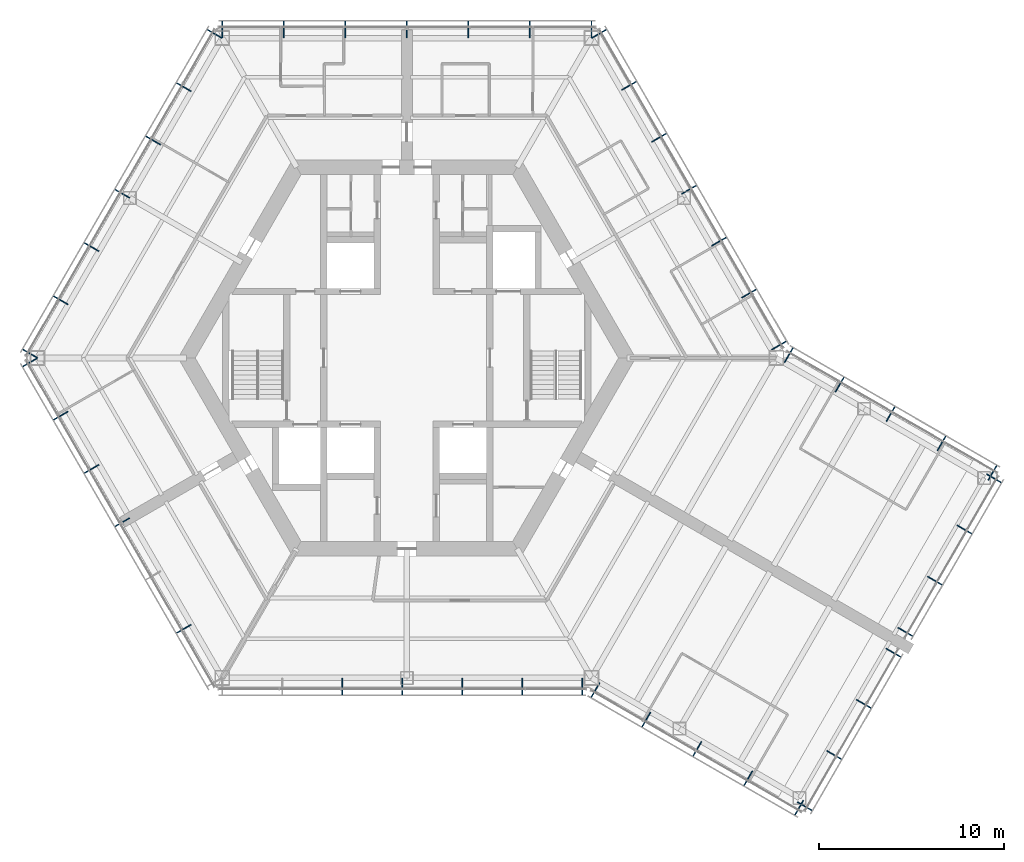
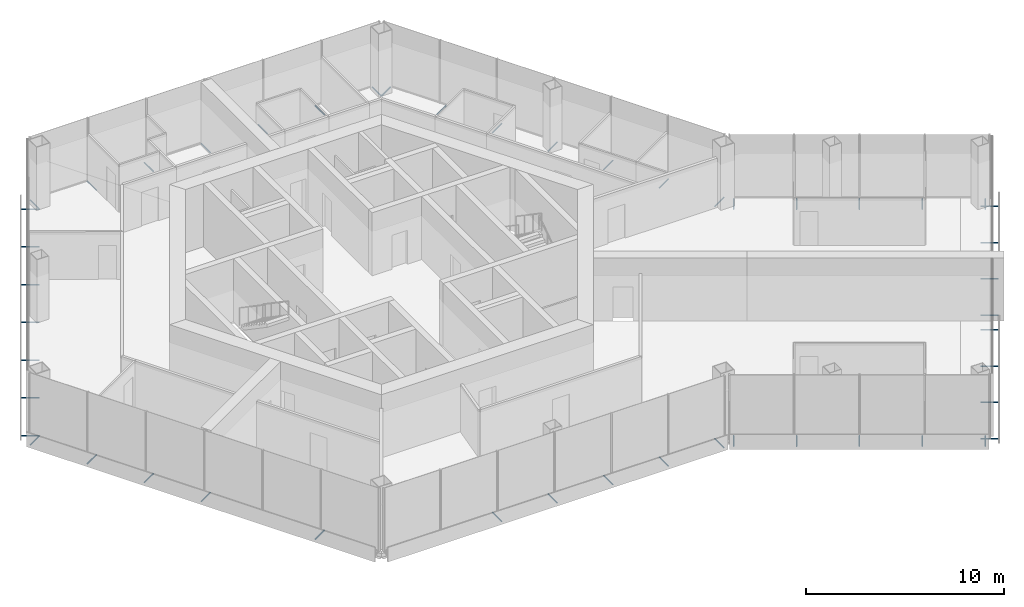
# One storey, part 14 of 15: 49 discrete accessories.
"""IFC4 building model written with IfcOpenShell, lengths in metres."""

from ifc_helpers import new_model, si_unit, direction, frame, origin, origin_2d, place, context, subcontext, project, spatial, hollow_circle, extrude, material, material_profile, profile_set, type_object, element, save


model = new_model("IFC4")

# Units and contexts
model_context = context("Model", 3, precision=1e-05, world=origin(), true_north=direction((0.0, 1.0)))
body_context = subcontext(model_context, "Body", "Model", "MODEL_VIEW")
ifc_project = project(units=[si_unit("LENGTHUNIT", "METRE"), si_unit("AREAUNIT", "SQUARE_METRE"), si_unit("VOLUMEUNIT", "CUBIC_METRE"), si_unit("PLANEANGLEUNIT", "RADIAN"), si_unit("MASSUNIT", "GRAM", prefix="KILO")], contexts=[model_context])

# Site, building, storey
site_placement = place(None, origin())
site = spatial("IfcSite", under=ifc_project, at=site_placement, CompositionType="ELEMENT")
building_placement = place(site_placement, origin())
building = spatial("IfcBuilding", under=site, at=building_placement, Name="Kasaneha Research Tower", CompositionType="ELEMENT")
storey_placement = place(building_placement, frame((0.0, 0.0, 220.60009765625)))
storey = spatial("IfcBuildingStorey", under=building, at=storey_placement, Name="L55", CompositionType="ELEMENT", Elevation=220.60009765625)

# Discrete accessories
ifc_material = material(Name="Steel STK400", Category="steel")
ifc_material_profile = material_profile(ifc_material, hollow_circle(Radius=0.0380859375, WallThickness=0.00390625, at=origin_2d()), Name="CHS-76.3x4.0")
ifc_profile_set = profile_set([ifc_material_profile], Name="Steel STK400")
discrete_accessory_type = type_object("IfcDiscreteAccessoryType", Name="Screen bracket CHS-76.3x4.0", PredefinedType="BRACKET", material=ifc_profile_set)
for number, where, z_axis, x_axis, name in (
    (1, (19.74462890625, 0.4423828125, -0.300048828125), (0.866013213425, 0.500021113727, 0.0), (-0.500021113727, 0.866013213425, 0.0), "Screen bracket 1"),
    (2, (18.120849609375, 3.2548828125, -0.300048828125), (0.866013213425, 0.500021113727, 0.0), (-0.500021113727, 0.866013213425, 0.0), "Screen bracket 2"),
    (3, (16.4970703125, 6.0673828125, -0.300048828125), (0.866013213425, 0.500021113727, 0.0), (-0.500021113727, 0.866013213425, 0.0), "Screen bracket 3"),
    (4, (14.873291015625, 8.8798828125, -0.300048828125), (0.866013213425, 0.500021113727, 0.0), (-0.500021113727, 0.866013213425, 0.0), "Screen bracket 4"),
    (5, (13.24951171875, 11.6923828125, -0.300048828125), (0.866013213425, 0.500021113727, 0.0), (-0.500021113727, 0.866013213425, 0.0), "Screen bracket 5"),
):
    element("IfcDiscreteAccessory", number, at=place(storey_placement, frame(where, z_axis=z_axis, x_axis=x_axis)), inside=storey, type_object=discrete_accessory_type, Name=name, PredefinedType="BRACKET", context=body_context, shape_type="SweptSolid", body=[
        extrude(hollow_circle(Radius=0.0380859375, WallThickness=0.00390625, at=origin_2d()), origin(), (0.0, 0.0, 1.0), 0.919921875),
    ])
for number, where, z_axis, x_axis, name in (
    (6, (11.62548828125, 14.5048828125, -0.300048828125), (0.866079547155, 0.499906209203, 0.0), (-0.499906209203, 0.866079547155, 0.0), "Screen bracket 6"),
    (7, (10.001708984375, 17.3173828125, -0.300048828125), (0.866079547155, 0.499906209203, 0.0), (-0.499906209203, 0.866079547155, 0.0), "Screen bracket 7"),
):
    element("IfcDiscreteAccessory", number, at=place(storey_placement, frame(where, z_axis=z_axis, x_axis=x_axis)), inside=storey, type_object=discrete_accessory_type, Name=name, PredefinedType="BRACKET", context=body_context, shape_type="SweptSolid", body=[
        extrude(hollow_circle(Radius=0.0380859375, WallThickness=0.00390625, at=origin_2d()), origin(), (0.0, 0.0, 1.0), 0.920166015625),
    ])
for number, where, z_axis, x_axis, name in (
    (8, (9.996337890625, 17.320556640625, -0.300048828125), (0.0, 1.0, 0.0), (-1.0, 0.0, 0.0), "Screen bracket 1"),
    (9, (6.664306640625, 17.320556640625, -0.300048828125), (0.0, 1.0, 0.0), (-1.0, 0.0, 0.0), "Screen bracket 2"),
    (10, (3.33203125, 17.320556640625, -0.300048828125), (0.0, 1.0, 0.0), (-1.0, 0.0, 0.0), "Screen bracket 3"),
    (11, (0.0, 17.320556640625, -0.300048828125), (0.0, 1.0, 0.0), (-1.0, 0.0, 0.0), "Screen bracket 4"),
    (12, (-3.33203125, 17.320556640625, -0.300048828125), (0.0, 1.0, 0.0), (-1.0, 0.0, 0.0), "Screen bracket 5"),
    (13, (-6.664306640625, 17.320556640625, -0.300048828125), (0.0, 1.0, 0.0), (-1.0, 0.0, 0.0), "Screen bracket 6"),
    (14, (-9.996337890625, 17.320556640625, -0.300048828125), (0.0, 1.0, 0.0), (-1.0, 0.0, 0.0), "Screen bracket 7"),
):
    element("IfcDiscreteAccessory", number, at=place(storey_placement, frame(where, z_axis=z_axis, x_axis=x_axis)), inside=storey, type_object=discrete_accessory_type, Name=name, PredefinedType="BRACKET", context=body_context, shape_type="SweptSolid", body=[
        extrude(hollow_circle(Radius=0.0380859375, WallThickness=0.00390625, at=origin_2d()), origin(), (0.0, 0.0, 1.0), 0.919921875),
    ])
discrete_accessory_1_placement = place(storey_placement, frame((-10.001708984375, 17.3173828125, -0.300048828125), z_axis=(-0.866079547155, 0.499906209203, 0.0), x_axis=(-0.499906209203, -0.866079547155, 0.0)))
element("IfcDiscreteAccessory", 15, at=discrete_accessory_1_placement, inside=storey, type_object=discrete_accessory_type, Name="Screen bracket 1", PredefinedType="BRACKET", context=body_context, shape_type="SweptSolid", body=[
    extrude(hollow_circle(Radius=0.0380859375, WallThickness=0.00390625, at=origin_2d()), origin(), (0.0, 0.0, 1.0), 0.920166015625),
])
for number, where, z_axis, x_axis, name in (
    (16, (-11.66796875, 14.431640625, -0.300048828125), (-0.866013213425, 0.500021113727, 0.0), (-0.500021113727, -0.866013213425, 0.0), "Screen bracket 2"),
    (17, (-13.333984375, 11.5458984375, -0.300048828125), (-0.866013213425, 0.500021113727, 0.0), (-0.500021113727, -0.866013213425, 0.0), "Screen bracket 3"),
    (18, (-15.0, 8.66015625, -0.300048828125), (-0.865898279276, 0.500220121494, 0.0), (-0.500220121494, -0.865898279276, 0.0), "Screen bracket 4"),
):
    element("IfcDiscreteAccessory", number, at=place(storey_placement, frame(where, z_axis=z_axis, x_axis=x_axis)), inside=storey, type_object=discrete_accessory_type, Name=name, PredefinedType="BRACKET", context=body_context, shape_type="SweptSolid", body=[
        extrude(hollow_circle(Radius=0.0380859375, WallThickness=0.00390625, at=origin_2d()), origin(), (0.0, 0.0, 1.0), 0.919921875),
    ])
for number, where, z_axis, x_axis, name in (
    (19, (-16.666015625, 5.774658203125, -0.300048828125), (-0.866079547155, 0.499906209203, 0.0), (-0.499906209203, -0.866079547155, 0.0), "Screen bracket 5"),
    (20, (-18.33203125, 2.888916015625, -0.300048828125), (-0.866079547155, 0.499906209203, 0.0), (-0.499906209203, -0.866079547155, 0.0), "Screen bracket 6"),
):
    element("IfcDiscreteAccessory", number, at=place(storey_placement, frame(where, z_axis=z_axis, x_axis=x_axis)), inside=storey, type_object=discrete_accessory_type, Name=name, PredefinedType="BRACKET", context=body_context, shape_type="SweptSolid", body=[
        extrude(hollow_circle(Radius=0.0380859375, WallThickness=0.00390625, at=origin_2d()), origin(), (0.0, 0.0, 1.0), 0.920166015625),
    ])
for number, where, z_axis, x_axis, name in (
    (21, (-19.998291015625, 0.003173828125, -0.300048828125), (-0.866013213425, 0.500021113727, 0.0), (-0.500021113727, -0.866013213425, 0.0), "Screen bracket 7"),
    (22, (-19.998291015625, -0.003173828125, -0.300048828125), (-0.866013213425, -0.500021113727, 0.0), (0.500021113727, -0.866013213425, 0.0), "Screen bracket 1"),
):
    element("IfcDiscreteAccessory", number, at=place(storey_placement, frame(where, z_axis=z_axis, x_axis=x_axis)), inside=storey, type_object=discrete_accessory_type, Name=name, PredefinedType="BRACKET", context=body_context, shape_type="SweptSolid", body=[
        extrude(hollow_circle(Radius=0.0380859375, WallThickness=0.00390625, at=origin_2d()), origin(), (0.0, 0.0, 1.0), 0.919921875),
    ])
for number, where, z_axis, x_axis, name in (
    (23, (-18.33203125, -2.888916015625, -0.300048828125), (-0.866079547155, -0.499906209203, 0.0), (0.499906209203, -0.866079547155, 0.0), "Screen bracket 2"),
    (24, (-16.666015625, -5.774658203125, -0.300048828125), (-0.866079547155, -0.499906209203, 0.0), (0.499906209203, -0.866079547155, 0.0), "Screen bracket 3"),
):
    element("IfcDiscreteAccessory", number, at=place(storey_placement, frame(where, z_axis=z_axis, x_axis=x_axis)), inside=storey, type_object=discrete_accessory_type, Name=name, PredefinedType="BRACKET", context=body_context, shape_type="SweptSolid", body=[
        extrude(hollow_circle(Radius=0.0380859375, WallThickness=0.00390625, at=origin_2d()), origin(), (0.0, 0.0, 1.0), 0.920166015625),
    ])
for number, where, z_axis, x_axis, name in (
    (25, (-15.0, -8.66015625, -0.300048828125), (-0.865898279276, -0.500220121494, 0.0), (0.500220121494, -0.865898279276, 0.0), "Screen bracket 4"),
    (26, (-11.66796875, -14.431640625, -0.300048828125), (-0.866013213425, -0.500021113727, 0.0), (0.500021113727, -0.866013213425, 0.0), "Screen bracket 6"),
    (27, (-3.501220703125, -17.320556640625, -0.300048828125), (0.0, -1.0, 0.0), (1.0, 0.0, 0.0), "Screen bracket 3"),
    (28, (-0.253662109375, -17.320556640625, -0.300048828125), (0.0, -1.0, 0.0), (1.0, 0.0, 0.0), "Screen bracket 4"),
    (29, (2.993896484375, -17.320556640625, -0.300048828125), (0.0, -1.0, 0.0), (1.0, 0.0, 0.0), "Screen bracket 5"),
    (30, (6.24169921875, -17.320556640625, -0.300048828125), (0.0, -1.0, 0.0), (1.0, 0.0, 0.0), "Screen bracket 6"),
    (31, (9.4892578125, -17.320556640625, -0.300048828125), (0.0, -1.0, 0.0), (1.0, 0.0, 0.0), "Screen bracket 7"),
    (32, (10.4423828125, -17.575927734375, -0.300048828125), (-0.500021113727, -0.866013213425, 0.0), (0.866013213425, -0.500021113727, 0.0), "Screen bracket 1"),
):
    element("IfcDiscreteAccessory", number, at=place(storey_placement, frame(where, z_axis=z_axis, x_axis=x_axis)), inside=storey, type_object=discrete_accessory_type, Name=name, PredefinedType="BRACKET", context=body_context, shape_type="SweptSolid", body=[
        extrude(hollow_circle(Radius=0.0380859375, WallThickness=0.00390625, at=origin_2d()), origin(), (0.0, 0.0, 1.0), 0.919921875),
    ])
discrete_accessory_2_placement = place(storey_placement, frame((13.200439453125, -19.168212890625, -0.300048828125), z_axis=(-0.499906209203, -0.866079547155, 0.0), x_axis=(0.866079547155, -0.499906209203, 0.0)))
element("IfcDiscreteAccessory", 33, at=discrete_accessory_2_placement, inside=storey, type_object=discrete_accessory_type, Name="Screen bracket 2", PredefinedType="BRACKET", context=body_context, shape_type="SweptSolid", body=[
    extrude(hollow_circle(Radius=0.0380859375, WallThickness=0.00390625, at=origin_2d()), origin(), (0.0, 0.0, 1.0), 0.920166015625),
])
discrete_accessory_3_placement = place(storey_placement, frame((15.95849609375, -20.7607421875, -0.300048828125), z_axis=(-0.500021113727, -0.866013213425, 0.0), x_axis=(0.866013213425, -0.500021113727, 0.0)))
element("IfcDiscreteAccessory", 34, at=discrete_accessory_3_placement, inside=storey, type_object=discrete_accessory_type, Name="Screen bracket 3", PredefinedType="BRACKET", context=body_context, shape_type="SweptSolid", body=[
    extrude(hollow_circle(Radius=0.0380859375, WallThickness=0.00390625, at=origin_2d()), origin(), (0.0, 0.0, 1.0), 0.919921875),
])
discrete_accessory_4_placement = place(storey_placement, frame((18.716796875, -22.35302734375, -0.300048828125), z_axis=(-0.500105201737, -0.865964657013, 0.0), x_axis=(0.865964657013, -0.500105201737, 0.0)))
element("IfcDiscreteAccessory", 35, at=discrete_accessory_4_placement, inside=storey, type_object=discrete_accessory_type, Name="Screen bracket 4", PredefinedType="BRACKET", context=body_context, shape_type="SweptSolid", body=[
    extrude(hollow_circle(Radius=0.0380859375, WallThickness=0.00390625, at=origin_2d()), origin(), (0.0, 0.0, 1.0), 0.920166015625),
])
discrete_accessory_5_placement = place(storey_placement, frame((21.474853515625, -23.945556640625, -0.300048828125), z_axis=(-0.500021113727, -0.866013213425, 0.0), x_axis=(0.866013213425, -0.500021113727, 0.0)))
element("IfcDiscreteAccessory", 36, at=discrete_accessory_5_placement, inside=storey, type_object=discrete_accessory_type, Name="Screen bracket 5", PredefinedType="BRACKET", context=body_context, shape_type="SweptSolid", body=[
    extrude(hollow_circle(Radius=0.0380859375, WallThickness=0.00390625, at=origin_2d()), origin(), (0.0, 0.0, 1.0), 0.919921875),
])
discrete_accessory_6_placement = place(storey_placement, frame((21.13330078125, -24.037109375, -0.300048828125), z_axis=(0.866079547155, -0.499906209203, 0.0), x_axis=(0.499906209203, 0.866079547155, 0.0)))
element("IfcDiscreteAccessory", 37, at=discrete_accessory_6_placement, inside=storey, type_object=discrete_accessory_type, Name="Screen bracket 1", PredefinedType="BRACKET", context=body_context, shape_type="SweptSolid", body=[
    extrude(hollow_circle(Radius=0.0380859375, WallThickness=0.00390625, at=origin_2d()), origin(), (0.0, 0.0, 1.0), 0.920166015625),
])
discrete_accessory_7_placement = place(storey_placement, frame((22.7333984375, -21.265625, -0.300048828125), z_axis=(0.865898279276, -0.500220121494, 0.0), x_axis=(0.500220121494, 0.865898279276, 0.0)))
element("IfcDiscreteAccessory", 38, at=discrete_accessory_7_placement, inside=storey, type_object=discrete_accessory_type, Name="Screen bracket 2", PredefinedType="BRACKET", context=body_context, shape_type="SweptSolid", body=[
    extrude(hollow_circle(Radius=0.0380859375, WallThickness=0.00390625, at=origin_2d()), origin(), (0.0, 0.0, 1.0), 0.919921875),
])
discrete_accessory_8_placement = place(storey_placement, frame((24.333251953125, -18.494384765625, -0.300048828125), z_axis=(0.866079547155, -0.499906209203, 0.0), x_axis=(0.499906209203, 0.866079547155, 0.0)))
element("IfcDiscreteAccessory", 39, at=discrete_accessory_8_placement, inside=storey, type_object=discrete_accessory_type, Name="Screen bracket 3", PredefinedType="BRACKET", context=body_context, shape_type="SweptSolid", body=[
    extrude(hollow_circle(Radius=0.0380859375, WallThickness=0.00390625, at=origin_2d()), origin(), (0.0, 0.0, 1.0), 0.920166015625),
])
discrete_accessory_9_placement = place(storey_placement, frame((25.933349609375, -15.72314453125, -0.300048828125), z_axis=(0.866013213425, -0.500021113727, 0.0), x_axis=(0.500021113727, 0.866013213425, 0.0)))
element("IfcDiscreteAccessory", 40, at=discrete_accessory_9_placement, inside=storey, type_object=discrete_accessory_type, Name="Screen bracket 4", PredefinedType="BRACKET", context=body_context, shape_type="SweptSolid", body=[
    extrude(hollow_circle(Radius=0.0380859375, WallThickness=0.00390625, at=origin_2d()), origin(), (0.0, 0.0, 1.0), 0.919921875),
])
discrete_accessory_10_placement = place(storey_placement, frame((26.583251953125, -14.597412109375, -0.300048828125), z_axis=(0.866079547155, -0.499906209203, 0.0), x_axis=(0.499906209203, 0.866079547155, 0.0)))
element("IfcDiscreteAccessory", 41, at=discrete_accessory_10_placement, inside=storey, type_object=discrete_accessory_type, Name="Screen bracket 1", PredefinedType="BRACKET", context=body_context, shape_type="SweptSolid", body=[
    extrude(hollow_circle(Radius=0.0380859375, WallThickness=0.00390625, at=origin_2d()), origin(), (0.0, 0.0, 1.0), 0.920166015625),
])
for number, where, z_axis, x_axis, name in (
    (42, (28.183349609375, -11.826171875, -0.300048828125), (0.866013213425, -0.500021113727, 0.0), (0.500021113727, 0.866013213425, 0.0), "Screen bracket 2"),
    (43, (29.783447265625, -9.0546875, -0.300048828125), (0.865898279276, -0.500220121494, 0.0), (0.500220121494, 0.865898279276, 0.0), "Screen bracket 3"),
):
    element("IfcDiscreteAccessory", number, at=place(storey_placement, frame(where, z_axis=z_axis, x_axis=x_axis)), inside=storey, type_object=discrete_accessory_type, Name=name, PredefinedType="BRACKET", context=body_context, shape_type="SweptSolid", body=[
        extrude(hollow_circle(Radius=0.0380859375, WallThickness=0.00390625, at=origin_2d()), origin(), (0.0, 0.0, 1.0), 0.919921875),
    ])
discrete_accessory_11_placement = place(storey_placement, frame((31.38330078125, -6.283447265625, -0.300048828125), z_axis=(0.866079547155, -0.499906209203, 0.0), x_axis=(0.499906209203, 0.866079547155, 0.0)))
element("IfcDiscreteAccessory", 44, at=discrete_accessory_11_placement, inside=storey, type_object=discrete_accessory_type, Name="Screen bracket 4", PredefinedType="BRACKET", context=body_context, shape_type="SweptSolid", body=[
    extrude(hollow_circle(Radius=0.0380859375, WallThickness=0.00390625, at=origin_2d()), origin(), (0.0, 0.0, 1.0), 0.920166015625),
])
discrete_accessory_12_placement = place(storey_placement, frame((31.474853515625, -6.625, -0.300048828125), z_axis=(0.500021113727, 0.866013213425, 0.0), x_axis=(-0.866013213425, 0.500021113727, 0.0)))
element("IfcDiscreteAccessory", 45, at=discrete_accessory_12_placement, inside=storey, type_object=discrete_accessory_type, Name="Screen bracket 1", PredefinedType="BRACKET", context=body_context, shape_type="SweptSolid", body=[
    extrude(hollow_circle(Radius=0.0380859375, WallThickness=0.00390625, at=origin_2d()), origin(), (0.0, 0.0, 1.0), 0.919921875),
])
discrete_accessory_13_placement = place(storey_placement, frame((28.716796875, -5.03271484375, -0.300048828125), z_axis=(0.499906209203, 0.866079547155, 0.0), x_axis=(-0.866079547155, 0.499906209203, 0.0)))
element("IfcDiscreteAccessory", 46, at=discrete_accessory_13_placement, inside=storey, type_object=discrete_accessory_type, Name="Screen bracket 2", PredefinedType="BRACKET", context=body_context, shape_type="SweptSolid", body=[
    extrude(hollow_circle(Radius=0.0380859375, WallThickness=0.00390625, at=origin_2d()), origin(), (0.0, 0.0, 1.0), 0.920166015625),
])
discrete_accessory_14_placement = place(storey_placement, frame((25.95849609375, -3.440185546875, -0.300048828125), z_axis=(0.500220121494, 0.865898279276, 0.0), x_axis=(-0.865898279276, 0.500220121494, 0.0)))
element("IfcDiscreteAccessory", 47, at=discrete_accessory_14_placement, inside=storey, type_object=discrete_accessory_type, Name="Screen bracket 3", PredefinedType="BRACKET", context=body_context, shape_type="SweptSolid", body=[
    extrude(hollow_circle(Radius=0.0380859375, WallThickness=0.00390625, at=origin_2d()), origin(), (0.0, 0.0, 1.0), 0.919921875),
])
discrete_accessory_15_placement = place(storey_placement, frame((23.200439453125, -1.847900390625, -0.300048828125), z_axis=(0.499906209203, 0.866079547155, 0.0), x_axis=(-0.866079547155, 0.499906209203, 0.0)))
element("IfcDiscreteAccessory", 48, at=discrete_accessory_15_placement, inside=storey, type_object=discrete_accessory_type, Name="Screen bracket 4", PredefinedType="BRACKET", context=body_context, shape_type="SweptSolid", body=[
    extrude(hollow_circle(Radius=0.0380859375, WallThickness=0.00390625, at=origin_2d()), origin(), (0.0, 0.0, 1.0), 0.920166015625),
])
discrete_accessory_16_placement = place(storey_placement, frame((20.4423828125, -0.25537109375, -0.300048828125), z_axis=(0.500021113727, 0.866013213425, 0.0), x_axis=(-0.866013213425, 0.500021113727, 0.0)))
element("IfcDiscreteAccessory", 49, at=discrete_accessory_16_placement, inside=storey, type_object=discrete_accessory_type, Name="Screen bracket 5", PredefinedType="BRACKET", context=body_context, shape_type="SweptSolid", body=[
    extrude(hollow_circle(Radius=0.0380859375, WallThickness=0.00390625, at=origin_2d()), origin(), (0.0, 0.0, 1.0), 0.919921875),
])

save(model, "model.ifc")
